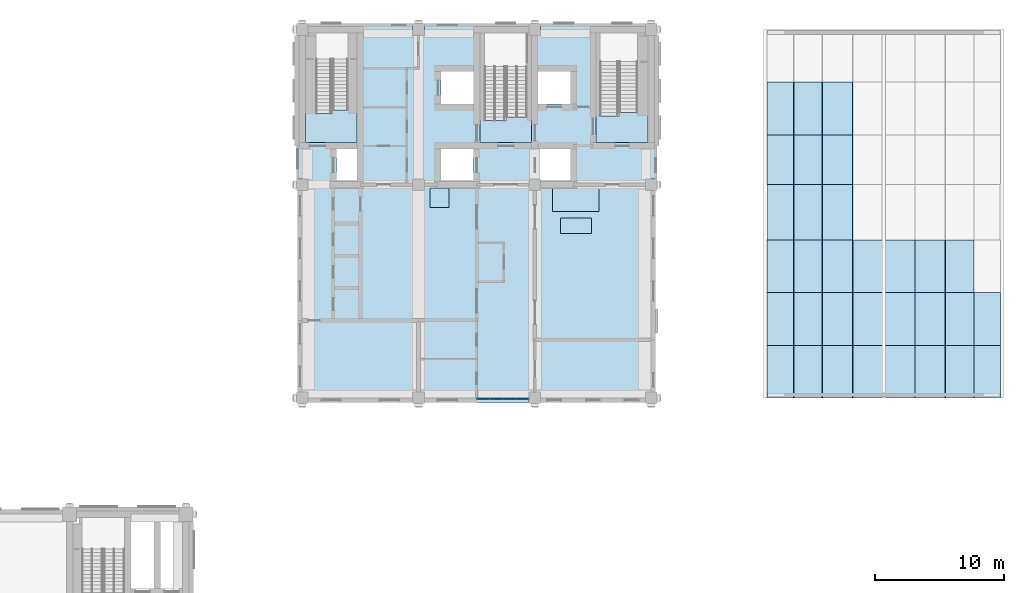
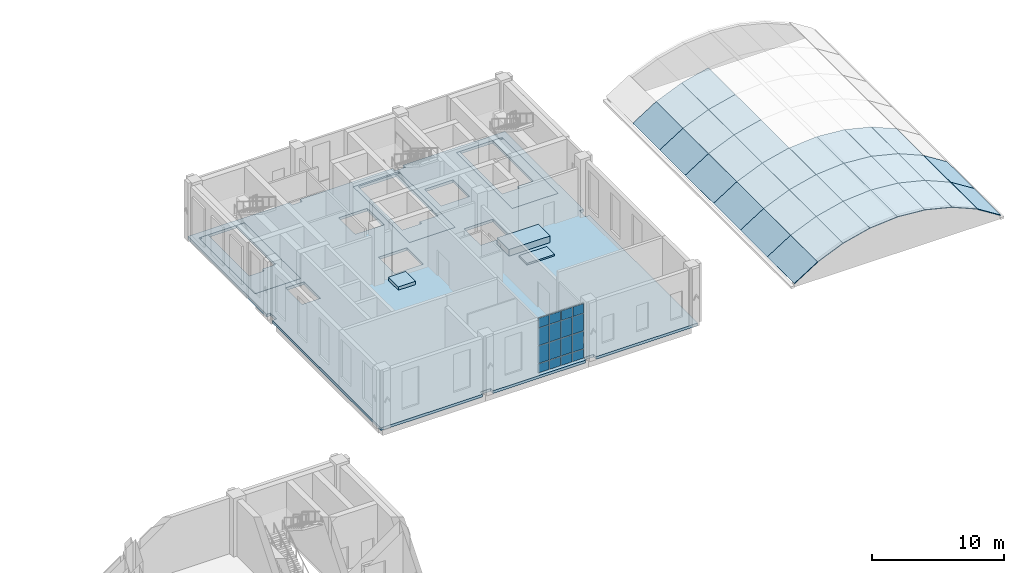
# One storey, part 11 of 25: 39 slabs, 16 plates, 4 elements without a shape of their own.
"""IFC4 building model written with IfcOpenShell, lengths in metres."""

from ifc_helpers import new_model, si_unit, direction, frame, origin, origin_2d, place, context, subcontext, project, spatial, polyline, rectangle, outline, extrude, material, layer, layer_set, type_object, element, aggregate, save


model = new_model("IFC4")

# Units and contexts
model_context = context("Model", 3, precision=1e-05, world=origin(), true_north=direction((0.0, 1.0)))
body_context = subcontext(model_context, "Body", "Model", "MODEL_VIEW")
ifc_project = project(units=[si_unit("LENGTHUNIT", "METRE"), si_unit("AREAUNIT", "SQUARE_METRE"), si_unit("VOLUMEUNIT", "CUBIC_METRE"), si_unit("PLANEANGLEUNIT", "RADIAN"), si_unit("MASSUNIT", "GRAM", prefix="KILO")], contexts=[model_context])

# Site, building, storey
site_placement = place(None, origin())
site = spatial("IfcSite", under=ifc_project, at=site_placement, CompositionType="ELEMENT")
building_placement = place(site_placement, origin())
building = spatial("IfcBuilding", under=site, at=building_placement, Name="Aurelan Courthouse", CompositionType="ELEMENT")
storey_placement = place(building_placement, frame((0.0, 0.0, 33.60009765625)))
storey = spatial("IfcBuildingStorey", under=building, at=storey_placement, Name="L06", CompositionType="ELEMENT", Elevation=33.60009765625)

# Curtain wall, plates
ifc_material_1 = material(Name="Bronze-finished aluminium and glass", Category="aluminium")
ifc_layer_1 = layer(ifc_material_1, 0.14990234375)
ifc_layer_set_1 = layer_set([ifc_layer_1], Name="Bronze-finished aluminium and glass")
curtain_wall_type = type_object("IfcCurtainWallType", Name="Curtain wall 4050 x 5150", PredefinedType="NOTDEFINED", material=ifc_layer_set_1)
curtain_wall_placement = place(storey_placement, origin())
curtain_wall = element("IfcCurtainWall", 1, at=curtain_wall_placement, inside=storey, type_object=curtain_wall_type, Name="Curtain wall CW-V2-L06-S01", PredefinedType="NOTDEFINED")
ifc_material_2 = material(Name="Bronze-finished aluminium", Category="aluminium")
ifc_layer_2 = layer(ifc_material_2, 0.080078125)
ifc_layer_set_2 = layer_set([ifc_layer_2], Name="Bronze-finished aluminium")
plate_type_1 = type_object("IfcPlateType", Name="Bronze spandrel panel 80", PredefinedType="CURTAIN_PANEL", material=ifc_layer_set_2)
plate_1_placement = place(storey_placement, frame((50.018798828125, 37.425048828125, 4.224853515625), z_axis=(0.0, 0.0, 1.0), x_axis=(1.0, 0.0, 0.0)))
plate_1 = element("IfcPlate", 2, at=plate_1_placement, type_object=plate_type_1, Name="CW-V2-L06-S01 spandrel panel 1.4", PredefinedType="CURTAIN_PANEL", context=body_context, shape_type="SweptSolid", body=[
    extrude(rectangle(XDim=0.9375, YDim=0.080078125, at=origin_2d()), origin(), (0.0, 0.0, 1.0), 0.875),
])
plate_2_placement = place(storey_placement, frame((51.018798828125, 37.425048828125, 4.224853515625), z_axis=(0.0, 0.0, 1.0), x_axis=(1.0, 0.0, 0.0)))
plate_2 = element("IfcPlate", 3, at=plate_2_placement, type_object=plate_type_1, Name="CW-V2-L06-S01 spandrel panel 2.4", PredefinedType="CURTAIN_PANEL", context=body_context, shape_type="SweptSolid", body=[
    extrude(rectangle(XDim=0.96240234375, YDim=0.080078125, at=origin_2d()), origin(), (0.0, 0.0, 1.0), 0.875),
])
plate_3_placement = place(storey_placement, frame((52.03125, 37.425048828125, 4.224853515625), z_axis=(0.0, 0.0, 1.0), x_axis=(1.0, 0.0, 0.0)))
plate_3 = element("IfcPlate", 4, at=plate_3_placement, type_object=plate_type_1, Name="CW-V2-L06-S01 spandrel panel 3.4", PredefinedType="CURTAIN_PANEL", context=body_context, shape_type="SweptSolid", body=[
    extrude(rectangle(XDim=0.96240234375, YDim=0.080078125, at=origin_2d()), origin(), (0.0, 0.0, 1.0), 0.875),
])
plate_4_placement = place(storey_placement, frame((53.03125, 37.425048828125, 4.224853515625), z_axis=(0.0, 0.0, 1.0), x_axis=(1.0, 0.0, 0.0)))
plate_4 = element("IfcPlate", 5, at=plate_4_placement, type_object=plate_type_1, Name="CW-V2-L06-S01 spandrel panel 4.4", PredefinedType="CURTAIN_PANEL", context=body_context, shape_type="SweptSolid", body=[
    extrude(rectangle(XDim=0.9375, YDim=0.080078125, at=origin_2d()), origin(), (0.0, 0.0, 1.0), 0.875),
])

# Slabs
ifc_material_3 = material(Name="Concrete C30", Category="concrete")
ifc_layer_3 = layer(ifc_material_3, 0.14990234375)
ifc_layer_set_3 = layer_set([ifc_layer_3], Name="Concrete C30")
slab_type_1 = type_object("IfcSlabType", Name="Clerk's dais 150", PredefinedType="FLOOR", material=ifc_layer_set_3)
slab_1_placement = place(storey_placement, origin())
element("IfcSlab", 6, at=slab_1_placement, inside=storey, type_object=slab_type_1, Name="Clerk's dais Labour Courtroom 2.06.01", PredefinedType="FLOOR", context=body_context, shape_type="SweptSolid", body=[
    extrude(outline(polyline([(55.97509765625, 50.22509765625), (58.375, 50.22509765625), (58.375, 51.425048828125), (55.97509765625, 51.425048828125), (55.97509765625, 50.22509765625)])), origin(), (0.0, 0.0, 1.0), 0.14990234375),
])
ifc_layer_4 = layer(ifc_material_3, 0.610107421875)
ifc_layer_set_4 = layer_set([ifc_layer_4], Name="Concrete C30")
slab_type_2 = type_object("IfcSlabType", Name="Judge's bench dais 610", PredefinedType="FLOOR", material=ifc_layer_set_4)
slab_2_placement = place(storey_placement, origin())
element("IfcSlab", 7, at=slab_2_placement, inside=storey, type_object=slab_type_2, Name="Judge's bench dais Labour Courtroom 2.06.01", PredefinedType="FLOOR", context=body_context, shape_type="SweptSolid", body=[
    extrude(outline(polyline([(55.375, 51.925048828125), (58.97509765625, 51.925048828125), (58.97509765625, 53.72509765625), (55.375, 53.72509765625), (55.375, 51.925048828125)])), origin(), (0.0, 0.0, 1.0), 0.60986328125),
])
ifc_material_4 = material(Name="Concrete C40", Category="concrete")
ifc_layer_5 = layer(ifc_material_4, 0.25)
ifc_layer_set_5 = layer_set([ifc_layer_5], Name="Concrete C40")
slab_type_3 = type_object("IfcSlabType", Name="PT floor slab 250", PredefinedType="FLOOR", material=ifc_layer_set_5)
slab_3_placement = place(storey_placement, frame((0.0, 0.0, -0.25)))
element("IfcSlab", 8, at=slab_3_placement, inside=storey, type_object=slab_type_3, Name="Floor slab SL-L06-01", PredefinedType="FLOOR", context=body_context, shape_type="SweptSolid", body=[
    extrude(outline(polyline([(35.64990234375, 66.35009765625), (35.64990234375, 65.550048828125), (35.64990234375, 54.449951171875), (36.0, 54.449951171875), (36.0, 53.550048828125), (35.64990234375, 53.550048828125), (35.64990234375, 37.949951171875), (35.64990234375, 37.14990234375), (36.449951171875, 37.14990234375), (44.550048828125, 37.14990234375), (44.550048828125, 37.5), (45.449951171875, 37.5), (45.449951171875, 37.14990234375), (53.550048828125, 37.14990234375), (53.550048828125, 37.5), (54.449951171875, 37.5), (54.449951171875, 37.14990234375), (62.550048828125, 37.14990234375), (63.35009765625, 37.14990234375), (63.35009765625, 37.949951171875), (63.35009765625, 53.550048828125), (63.0, 53.550048828125), (63.0, 54.449951171875), (63.35009765625, 54.449951171875), (63.35009765625, 65.550048828125), (63.35009765625, 66.35009765625), (62.550048828125, 66.35009765625), (54.449951171875, 66.35009765625), (54.449951171875, 66.0), (53.550048828125, 66.0), (53.550048828125, 66.35009765625), (45.449951171875, 66.35009765625), (45.449951171875, 66.0), (44.550048828125, 66.0), (44.550048828125, 66.35009765625), (36.449951171875, 66.35009765625), (35.64990234375, 66.35009765625)]), holes=[polyline([(58.75, 65.75), (62.75, 65.75), (62.75, 57.25), (58.75, 57.25), (58.75, 65.75)]), polyline([(56.75, 56.75), (56.75, 54.25), (54.25, 54.25), (54.25, 56.75), (56.75, 56.75)]), polyline([(56.75, 60.25), (54.25, 60.25), (54.25, 62.75), (56.75, 62.75), (56.75, 60.25)]), polyline([(49.75, 57.25), (49.75, 65.75), (53.75, 65.75), (53.75, 57.25), (49.75, 57.25)]), polyline([(46.75, 56.75), (49.25, 56.75), (49.25, 54.25), (46.75, 54.25), (46.75, 56.75)]), polyline([(46.75, 60.25), (46.75, 62.75), (49.25, 62.75), (49.25, 60.25), (46.75, 60.25)]), polyline([(40.25, 56.75), (40.25, 54.25), (38.64990234375, 54.25), (38.64990234375, 56.75), (40.25, 56.75)]), polyline([(40.25, 57.25), (36.25, 57.25), (36.25, 65.75), (40.25, 65.75), (40.25, 57.25)])]), origin(), (0.0, 0.0, 1.0), 0.25),
])

# Plate
ifc_layer_6 = layer(ifc_material_2, 0.0400390625)
ifc_layer_set_6 = layer_set([ifc_layer_6], Name="Bronze-finished aluminium")
plate_type_2 = type_object("IfcPlateType", Name="Sill panel 40", PredefinedType="CURTAIN_PANEL", material=ifc_layer_set_6)
plate_5_placement = place(storey_placement, frame((50.018798828125, 37.425048828125, 0.0498046875), z_axis=(0.0, 0.0, 1.0), x_axis=(1.0, 0.0, 0.0)))
plate_5 = element("IfcPlate", 9, at=plate_5_placement, type_object=plate_type_2, Name="CW-V2-L06-S01 sill panel 1.1", PredefinedType="CURTAIN_PANEL", context=body_context, shape_type="SweptSolid", body=[
    extrude(rectangle(XDim=0.9375, YDim=0.0400390625, at=origin_2d()), origin(), (0.0, 0.0, 1.0), 0.824951171875),
])

plate_6_placement = place(storey_placement, frame((51.018798828125, 37.425048828125, 0.0498046875), z_axis=(0.0, 0.0, 1.0), x_axis=(1.0, 0.0, 0.0)))
plate_6 = element("IfcPlate", 10, at=plate_6_placement, type_object=plate_type_2, Name="CW-V2-L06-S01 sill panel 2.1", PredefinedType="CURTAIN_PANEL", context=body_context, shape_type="SweptSolid", body=[
    extrude(rectangle(XDim=0.96240234375, YDim=0.0400390625, at=origin_2d()), origin(), (0.0, 0.0, 1.0), 0.824951171875),
])

plate_7_placement = place(storey_placement, frame((52.03125, 37.425048828125, 0.0498046875), z_axis=(0.0, 0.0, 1.0), x_axis=(1.0, 0.0, 0.0)))
plate_7 = element("IfcPlate", 11, at=plate_7_placement, type_object=plate_type_2, Name="CW-V2-L06-S01 sill panel 3.1", PredefinedType="CURTAIN_PANEL", context=body_context, shape_type="SweptSolid", body=[
    extrude(rectangle(XDim=0.96240234375, YDim=0.0400390625, at=origin_2d()), origin(), (0.0, 0.0, 1.0), 0.824951171875),
])

plate_8_placement = place(storey_placement, frame((53.03125, 37.425048828125, 0.0498046875), z_axis=(0.0, 0.0, 1.0), x_axis=(1.0, 0.0, 0.0)))
plate_8 = element("IfcPlate", 12, at=plate_8_placement, type_object=plate_type_2, Name="CW-V2-L06-S01 sill panel 4.1", PredefinedType="CURTAIN_PANEL", context=body_context, shape_type="SweptSolid", body=[
    extrude(rectangle(XDim=0.9375, YDim=0.0400390625, at=origin_2d()), origin(), (0.0, 0.0, 1.0), 0.824951171875),
])

# Stair, slab
stair_type_1 = type_object("IfcStairType", Name="Half-turn stair 1200 wide 31 risers", PredefinedType="HALF_TURN_STAIR", material=ifc_material_3)
stair_1_placement = place(storey_placement, origin())
stair_1 = element("IfcStair", 13, at=stair_1_placement, inside=storey, type_object=stair_type_1, Name="Stair CS-2-L06", PredefinedType="HALF_TURN_STAIR")
ifc_layer_7 = layer(ifc_material_3, 0.25)
ifc_layer_set_7 = layer_set([ifc_layer_7], Name="Concrete C30")
slab_type_4 = type_object("IfcSlabType", Name="Stair floor landing 250 thick", PredefinedType="LANDING", material=ifc_layer_set_7)
slab_4_placement = place(storey_placement, frame((0.0, 0.0, -0.25)))
slab_4 = element("IfcSlab", 14, at=slab_4_placement, type_object=slab_type_4, Name="Stair CS-2-L06 floor landing", PredefinedType="LANDING", context=body_context, shape_type="SweptSolid", body=[
    extrude(outline(polyline([(37.06005859375, 59.510986328125), (38.360107421875, 59.510986328125), (38.360107421875, 59.791015625), (39.56005859375, 59.791015625), (39.56005859375, 65.75), (40.25, 65.75), (40.25, 57.25), (36.25, 57.25), (36.25, 65.550048828125), (36.449951171875, 65.550048828125), (36.449951171875, 65.75), (37.06005859375, 65.75), (37.06005859375, 59.510986328125)])), origin(), (0.0, 0.0, 1.0), 0.25),
])
aggregate(stair_1, [slab_4])

stair_type_2 = type_object("IfcStairType", Name="Half-turn stair 1600 wide 31 risers", PredefinedType="HALF_TURN_STAIR", material=ifc_material_3)
stair_2_placement = place(storey_placement, origin())
stair_2 = element("IfcStair", 15, at=stair_2_placement, inside=storey, type_object=stair_type_2, Name="Stair ST-2A-L06", PredefinedType="HALF_TURN_STAIR")
slab_5_placement = place(storey_placement, frame((0.0, 0.0, -0.25)))
slab_5 = element("IfcSlab", 16, at=slab_5_placement, type_object=slab_type_4, Name="Stair ST-2A-L06 floor landing", PredefinedType="LANDING", context=body_context, shape_type="SweptSolid", body=[
    extrude(outline(polyline([(53.75, 57.25), (49.75, 57.25), (49.75, 65.590087890625), (49.75, 65.60009765625), (49.75, 65.75), (53.550048828125, 65.75), (53.550048828125, 65.550048828125), (53.75, 65.550048828125), (53.75, 57.25)]), holes=[polyline([(51.800048828125, 58.9609375), (51.800048828125, 59.240966796875), (53.39990234375, 59.240966796875), (53.39990234375, 65.590087890625), (50.10009765625, 65.590087890625), (50.10009765625, 58.9609375), (51.800048828125, 58.9609375)])]), origin(), (0.0, 0.0, 1.0), 0.25),
])
aggregate(stair_2, [slab_5])

stair_type_3 = type_object("IfcStairType", Name="Half-turn stair 1400 wide 31 risers", PredefinedType="HALF_TURN_STAIR", material=ifc_material_3)
stair_3_placement = place(storey_placement, origin())
stair_3 = element("IfcStair", 17, at=stair_3_placement, inside=storey, type_object=stair_type_3, Name="Stair ST-2E-L06", PredefinedType="HALF_TURN_STAIR")
slab_6_placement = place(storey_placement, frame((0.0, 0.0, -0.25)))
slab_6 = element("IfcSlab", 18, at=slab_6_placement, type_object=slab_type_4, Name="Stair ST-2E-L06 floor landing", PredefinedType="LANDING", context=body_context, shape_type="SweptSolid", body=[
    extrude(outline(polyline([(59.0400390625, 59.31103515625), (60.5400390625, 59.31103515625), (60.5400390625, 59.591064453125), (61.93994140625, 59.591064453125), (61.93994140625, 65.75), (62.550048828125, 65.75), (62.550048828125, 65.550048828125), (62.75, 65.550048828125), (62.75, 57.25), (58.75, 57.25), (58.75, 65.75), (59.0400390625, 65.75), (59.0400390625, 59.31103515625)])), origin(), (0.0, 0.0, 1.0), 0.25),
])
aggregate(stair_3, [slab_6])

# Slabs
ifc_material_5 = material(Name="Zinc standing-seam cladding")
ifc_layer_8 = layer(ifc_material_5, 0.06005859375)
ifc_layer_set_8 = layer_set([ifc_layer_8], Name="Zinc standing-seam cladding")
slab_type_5 = type_object("IfcSlabType", Name="Vault facet 60", PredefinedType="ROOF", material=ifc_layer_set_8)
slab_7_placement = place(storey_placement, frame((71.968017578125, 37.5, 0.40869140625), z_axis=(-0.533844372986, 0.0, 0.845582749015), x_axis=(0.845582749015, 0.0, 0.533844372986)))
element("IfcSlab", 19, at=slab_7_placement, inside=storey, type_object=slab_type_5, Name="Vault facet VF-001", PredefinedType="ROOF", context=body_context, shape_type="SweptSolid", body=[
    extrude(outline(polyline([(0.0, 0.0), (2.410562515022602, 0.0), (2.410562515022602, 4.0712890625), (0.0, 4.0712890625), (0.0, 0.0)])), origin(), (0.0, 0.0, -1.0), 0.06005859375),
])
slab_8_placement = place(storey_placement, frame((74.014892578125, 37.5, 1.699951171875), z_axis=(-0.391436570582, 0.0, 0.920205091929), x_axis=(0.920205091929, 0.0, 0.391436570582)))
element("IfcSlab", 20, at=slab_8_placement, inside=storey, type_object=slab_type_5, Name="Vault facet VF-002", PredefinedType="ROOF", context=body_context, shape_type="SweptSolid", body=[
    extrude(outline(polyline([(0.0, 0.0), (2.4106166529690207, 0.0), (2.4106166529690207, 4.0712890625), (0.0, 4.0712890625), (0.0, 0.0)])), origin(), (0.0, 0.0, -1.0), 0.06005859375),
])
slab_9_placement = place(storey_placement, frame((76.2421875, 37.5, 2.646484375), z_axis=(-0.239007294678, 0.0, 0.971017771769), x_axis=(0.971017771769, 0.0, 0.239007294678)))
element("IfcSlab", 21, at=slab_9_placement, inside=storey, type_object=slab_type_5, Name="Vault facet VF-003", PredefinedType="ROOF", context=body_context, shape_type="SweptSolid", body=[
    extrude(outline(polyline([(0.0, 0.0), (2.4106874050680265, 0.0), (2.4106874050680265, 4.0712890625), (0.0, 4.0712890625), (0.0, 0.0)])), origin(), (0.0, 0.0, -1.0), 0.06005859375),
])
for number, where, z_axis, x_axis, name in (
    (22, (78.59228515625, 37.5, 3.22412109375), (-0.0804134027, 0.0, 0.996761598712), (0.996761598712, 0.0, 0.0804134027), "Vault facet VF-004"),
    (23, (81.0048828125, 37.5, 3.41796875), (0.0804134027, 0.0, 0.996761598712), (0.996761598712, 0.0, -0.0804134027), "Vault facet VF-005"),
):
    element("IfcSlab", number, at=place(storey_placement, frame(where, z_axis=z_axis, x_axis=x_axis)), inside=storey, type_object=slab_type_5, Name=name, PredefinedType="ROOF", context=body_context, shape_type="SweptSolid", body=[
        extrude(outline(polyline([(0.0, 0.0), (2.4106386465487977, 0.0), (2.4106386465487977, 4.0712890625), (0.0, 4.0712890625), (0.0, 0.0)])), origin(), (0.0, 0.0, -1.0), 0.06005859375),
    ])
slab_10_placement = place(storey_placement, frame((83.4169921875, 37.5, 3.22265625), z_axis=(0.239007294678, 0.0, 0.971017771769), x_axis=(0.971017771769, 0.0, -0.239007294678)))
element("IfcSlab", 24, at=slab_10_placement, inside=storey, type_object=slab_type_5, Name="Vault facet VF-006", PredefinedType="ROOF", context=body_context, shape_type="SweptSolid", body=[
    extrude(outline(polyline([(0.0, 0.0), (2.4106874050680265, 0.0), (2.4106874050680265, 4.0712890625), (0.0, 4.0712890625), (0.0, 0.0)])), origin(), (0.0, 0.0, -1.0), 0.06005859375),
])
slab_11_placement = place(storey_placement, frame((85.766845703125, 37.5, 2.6435546875), z_axis=(0.391436570582, 0.0, 0.920205091929), x_axis=(0.920205091929, 0.0, -0.391436570582)))
element("IfcSlab", 25, at=slab_11_placement, inside=storey, type_object=slab_type_5, Name="Vault facet VF-007", PredefinedType="ROOF", context=body_context, shape_type="SweptSolid", body=[
    extrude(outline(polyline([(0.0, 0.0), (2.4106166529690207, 0.0), (2.4106166529690207, 4.0712890625), (0.0, 4.0712890625), (0.0, 0.0)])), origin(), (0.0, 0.0, -1.0), 0.06005859375),
])
slab_12_placement = place(storey_placement, frame((87.99365234375, 37.5, 1.695556640625), z_axis=(0.533844372986, 0.0, 0.845582749015), x_axis=(0.845582749015, 0.0, -0.533844372986)))
element("IfcSlab", 26, at=slab_12_placement, inside=storey, type_object=slab_type_5, Name="Vault facet VF-008", PredefinedType="ROOF", context=body_context, shape_type="SweptSolid", body=[
    extrude(outline(polyline([(0.0, 0.0), (2.410562515022602, 0.0), (2.410562515022602, 4.0712890625), (0.0, 4.0712890625), (0.0, 0.0)])), origin(), (0.0, 0.0, -1.0), 0.06005859375),
])
slab_13_placement = place(storey_placement, frame((71.968017578125, 41.5712890625, 0.40869140625), z_axis=(-0.533844372986, 0.0, 0.845582749015), x_axis=(0.845582749015, 0.0, 0.533844372986)))
element("IfcSlab", 27, at=slab_13_placement, inside=storey, type_object=slab_type_5, Name="Vault facet VF-009", PredefinedType="ROOF", context=body_context, shape_type="SweptSolid", body=[
    extrude(outline(polyline([(0.0, 0.0), (2.410562515022602, 0.0), (2.410562515022602, 4.071533203125), (0.0, 4.071533203125), (0.0, 0.0)])), origin(), (0.0, 0.0, -1.0), 0.06005859375),
])
slab_14_placement = place(storey_placement, frame((74.014892578125, 41.5712890625, 1.699951171875), z_axis=(-0.391436570582, 0.0, 0.920205091929), x_axis=(0.920205091929, 0.0, 0.391436570582)))
element("IfcSlab", 28, at=slab_14_placement, inside=storey, type_object=slab_type_5, Name="Vault facet VF-010", PredefinedType="ROOF", context=body_context, shape_type="SweptSolid", body=[
    extrude(outline(polyline([(0.0, 0.0), (2.4106166529690207, 0.0), (2.4106166529690207, 4.071533203125), (0.0, 4.071533203125), (0.0, 0.0)])), origin(), (0.0, 0.0, -1.0), 0.06005859375),
])
slab_15_placement = place(storey_placement, frame((76.2421875, 41.5712890625, 2.646484375), z_axis=(-0.239007294678, 0.0, 0.971017771769), x_axis=(0.971017771769, 0.0, 0.239007294678)))
element("IfcSlab", 29, at=slab_15_placement, inside=storey, type_object=slab_type_5, Name="Vault facet VF-011", PredefinedType="ROOF", context=body_context, shape_type="SweptSolid", body=[
    extrude(outline(polyline([(0.0, 0.0), (2.4106874050680265, 0.0), (2.4106874050680265, 4.071533203124999), (0.0, 4.071533203124999), (0.0, 0.0)])), origin(), (0.0, 0.0, -1.0), 0.06005859375),
])
for number, where, z_axis, x_axis, name in (
    (30, (78.59228515625, 41.5712890625, 3.22412109375), (-0.0804134027, 0.0, 0.996761598712), (0.996761598712, 0.0, 0.0804134027), "Vault facet VF-012"),
    (31, (81.0048828125, 41.5712890625, 3.41796875), (0.0804134027, 0.0, 0.996761598712), (0.996761598712, 0.0, -0.0804134027), "Vault facet VF-013"),
):
    element("IfcSlab", number, at=place(storey_placement, frame(where, z_axis=z_axis, x_axis=x_axis)), inside=storey, type_object=slab_type_5, Name=name, PredefinedType="ROOF", context=body_context, shape_type="SweptSolid", body=[
        extrude(outline(polyline([(0.0, 0.0), (2.4106386465487977, 0.0), (2.4106386465487977, 4.071533203125), (0.0, 4.071533203125), (0.0, 0.0)])), origin(), (0.0, 0.0, -1.0), 0.06005859375),
    ])
slab_16_placement = place(storey_placement, frame((83.4169921875, 41.5712890625, 3.22265625), z_axis=(0.239007294678, 0.0, 0.971017771769), x_axis=(0.971017771769, 0.0, -0.239007294678)))
element("IfcSlab", 32, at=slab_16_placement, inside=storey, type_object=slab_type_5, Name="Vault facet VF-014", PredefinedType="ROOF", context=body_context, shape_type="SweptSolid", body=[
    extrude(outline(polyline([(0.0, 0.0), (2.4106874050680265, 0.0), (2.4106874050680265, 4.071533203124999), (0.0, 4.071533203124999), (0.0, 0.0)])), origin(), (0.0, 0.0, -1.0), 0.06005859375),
])
slab_17_placement = place(storey_placement, frame((85.766845703125, 41.5712890625, 2.6435546875), z_axis=(0.391436570582, 0.0, 0.920205091929), x_axis=(0.920205091929, 0.0, -0.391436570582)))
element("IfcSlab", 33, at=slab_17_placement, inside=storey, type_object=slab_type_5, Name="Vault facet VF-015", PredefinedType="ROOF", context=body_context, shape_type="SweptSolid", body=[
    extrude(outline(polyline([(0.0, 0.0), (2.4106166529690207, 0.0), (2.4106166529690207, 4.071533203125), (0.0, 4.071533203125), (0.0, 0.0)])), origin(), (0.0, 0.0, -1.0), 0.06005859375),
])
for number, where, z_axis, x_axis, name in (
    (34, (87.99365234375, 41.5712890625, 1.695556640625), (0.533844372986, 0.0, 0.845582749015), (0.845582749015, 0.0, -0.533844372986), "Vault facet VF-016"),
    (35, (71.968017578125, 45.642822265625, 0.40869140625), (-0.533844372986, 0.0, 0.845582749015), (0.845582749015, 0.0, 0.533844372986), "Vault facet VF-017"),
):
    element("IfcSlab", number, at=place(storey_placement, frame(where, z_axis=z_axis, x_axis=x_axis)), inside=storey, type_object=slab_type_5, Name=name, PredefinedType="ROOF", context=body_context, shape_type="SweptSolid", body=[
        extrude(outline(polyline([(0.0, 0.0), (2.410562515022602, 0.0), (2.410562515022602, 4.071533203125), (0.0, 4.071533203125), (0.0, 0.0)])), origin(), (0.0, 0.0, -1.0), 0.06005859375),
    ])
slab_18_placement = place(storey_placement, frame((74.014892578125, 45.642822265625, 1.699951171875), z_axis=(-0.391436570582, 0.0, 0.920205091929), x_axis=(0.920205091929, 0.0, 0.391436570582)))
element("IfcSlab", 36, at=slab_18_placement, inside=storey, type_object=slab_type_5, Name="Vault facet VF-018", PredefinedType="ROOF", context=body_context, shape_type="SweptSolid", body=[
    extrude(outline(polyline([(0.0, 0.0), (2.4106166529690207, 0.0), (2.4106166529690207, 4.071533203125), (0.0, 4.071533203125), (0.0, 0.0)])), origin(), (0.0, 0.0, -1.0), 0.06005859375),
])
slab_19_placement = place(storey_placement, frame((76.2421875, 45.642822265625, 2.646484375), z_axis=(-0.239007294678, 0.0, 0.971017771769), x_axis=(0.971017771769, 0.0, 0.239007294678)))
element("IfcSlab", 37, at=slab_19_placement, inside=storey, type_object=slab_type_5, Name="Vault facet VF-019", PredefinedType="ROOF", context=body_context, shape_type="SweptSolid", body=[
    extrude(outline(polyline([(0.0, 0.0), (2.4106874050680265, 0.0), (2.4106874050680265, 4.071533203124999), (0.0, 4.071533203124999), (0.0, 0.0)])), origin(), (0.0, 0.0, -1.0), 0.06005859375),
])
for number, where, z_axis, x_axis, name in (
    (38, (78.59228515625, 45.642822265625, 3.22412109375), (-0.0804134027, 0.0, 0.996761598712), (0.996761598712, 0.0, 0.0804134027), "Vault facet VF-020"),
    (39, (81.0048828125, 45.642822265625, 3.41796875), (0.0804134027, 0.0, 0.996761598712), (0.996761598712, 0.0, -0.0804134027), "Vault facet VF-021"),
):
    element("IfcSlab", number, at=place(storey_placement, frame(where, z_axis=z_axis, x_axis=x_axis)), inside=storey, type_object=slab_type_5, Name=name, PredefinedType="ROOF", context=body_context, shape_type="SweptSolid", body=[
        extrude(outline(polyline([(0.0, 0.0), (2.4106386465487977, 0.0), (2.4106386465487977, 4.071533203125), (0.0, 4.071533203125), (0.0, 0.0)])), origin(), (0.0, 0.0, -1.0), 0.06005859375),
    ])
slab_20_placement = place(storey_placement, frame((83.4169921875, 45.642822265625, 3.22265625), z_axis=(0.239007294678, 0.0, 0.971017771769), x_axis=(0.971017771769, 0.0, -0.239007294678)))
element("IfcSlab", 40, at=slab_20_placement, inside=storey, type_object=slab_type_5, Name="Vault facet VF-022", PredefinedType="ROOF", context=body_context, shape_type="SweptSolid", body=[
    extrude(outline(polyline([(0.0, 0.0), (2.4106874050680265, 0.0), (2.4106874050680265, 4.071533203124999), (0.0, 4.071533203124999), (0.0, 0.0)])), origin(), (0.0, 0.0, -1.0), 0.06005859375),
])
slab_21_placement = place(storey_placement, frame((85.766845703125, 45.642822265625, 2.6435546875), z_axis=(0.391436570582, 0.0, 0.920205091929), x_axis=(0.920205091929, 0.0, -0.391436570582)))
element("IfcSlab", 41, at=slab_21_placement, inside=storey, type_object=slab_type_5, Name="Vault facet VF-023", PredefinedType="ROOF", context=body_context, shape_type="SweptSolid", body=[
    extrude(outline(polyline([(0.0, 0.0), (2.4106166529690207, 0.0), (2.4106166529690207, 4.071533203125), (0.0, 4.071533203125), (0.0, 0.0)])), origin(), (0.0, 0.0, -1.0), 0.06005859375),
])
slab_22_placement = place(storey_placement, frame((71.968017578125, 49.71435546875, 0.40869140625), z_axis=(-0.533844372986, 0.0, 0.845582749015), x_axis=(0.845582749015, 0.0, 0.533844372986)))
element("IfcSlab", 42, at=slab_22_placement, inside=storey, type_object=slab_type_5, Name="Vault facet VF-025", PredefinedType="ROOF", context=body_context, shape_type="SweptSolid", body=[
    extrude(outline(polyline([(0.0, 0.0), (2.410562515022602, 0.0), (2.410562515022602, 4.28564453125), (0.0, 4.28564453125), (0.0, 0.0)])), origin(), (0.0, 0.0, -1.0), 0.06005859375),
])
slab_23_placement = place(storey_placement, frame((74.014892578125, 49.71435546875, 1.699951171875), z_axis=(-0.391436570582, 0.0, 0.920205091929), x_axis=(0.920205091929, 0.0, 0.391436570582)))
element("IfcSlab", 43, at=slab_23_placement, inside=storey, type_object=slab_type_5, Name="Vault facet VF-026", PredefinedType="ROOF", context=body_context, shape_type="SweptSolid", body=[
    extrude(outline(polyline([(0.0, 0.0), (2.410616652969021, 0.0), (2.410616652969021, 4.28564453125), (0.0, 4.28564453125), (0.0, 0.0)])), origin(), (0.0, 0.0, -1.0), 0.06005859375),
])
slab_24_placement = place(storey_placement, frame((76.2421875, 49.71435546875, 2.646484375), z_axis=(-0.239007294678, 0.0, 0.971017771769), x_axis=(0.971017771769, 0.0, 0.239007294678)))
element("IfcSlab", 44, at=slab_24_placement, inside=storey, type_object=slab_type_5, Name="Vault facet VF-027", PredefinedType="ROOF", context=body_context, shape_type="SweptSolid", body=[
    extrude(outline(polyline([(0.0, 0.0), (2.4106874050680265, 0.0), (2.4106874050680265, 4.285644531249999), (0.0, 4.285644531249999), (0.0, 0.0)])), origin(), (0.0, 0.0, -1.0), 0.06005859375),
])
slab_25_placement = place(storey_placement, frame((71.968017578125, 54.0, 0.40869140625), z_axis=(-0.533844372986, 0.0, 0.845582749015), x_axis=(0.845582749015, 0.0, 0.533844372986)))
element("IfcSlab", 45, at=slab_25_placement, inside=storey, type_object=slab_type_5, Name="Vault facet VF-033", PredefinedType="ROOF", context=body_context, shape_type="SweptSolid", body=[
    extrude(outline(polyline([(0.0, 0.0), (2.410562515022602, 0.0), (2.410562515022602, 3.857177734375), (0.0, 3.857177734375), (0.0, 0.0)])), origin(), (0.0, 0.0, -1.0), 0.06005859375),
])
slab_26_placement = place(storey_placement, frame((74.014892578125, 54.0, 1.699951171875), z_axis=(-0.391436570582, 0.0, 0.920205091929), x_axis=(0.920205091929, 0.0, 0.391436570582)))
element("IfcSlab", 46, at=slab_26_placement, inside=storey, type_object=slab_type_5, Name="Vault facet VF-034", PredefinedType="ROOF", context=body_context, shape_type="SweptSolid", body=[
    extrude(outline(polyline([(0.0, 0.0), (2.410616652969021, 0.0), (2.410616652969021, 3.857177734375), (0.0, 3.857177734375), (0.0, 0.0)])), origin(), (0.0, 0.0, -1.0), 0.06005859375),
])
slab_27_placement = place(storey_placement, frame((76.2421875, 54.0, 2.646484375), z_axis=(-0.239007294678, 0.0, 0.971017771769), x_axis=(0.971017771769, 0.0, 0.239007294678)))
element("IfcSlab", 47, at=slab_27_placement, inside=storey, type_object=slab_type_5, Name="Vault facet VF-035", PredefinedType="ROOF", context=body_context, shape_type="SweptSolid", body=[
    extrude(outline(polyline([(0.0, 0.0), (2.4106874050680265, 0.0), (2.4106874050680265, 3.857177734375), (0.0, 3.857177734375), (0.0, 0.0)])), origin(), (0.0, 0.0, -1.0), 0.06005859375),
])
slab_28_placement = place(storey_placement, frame((71.968017578125, 57.857177734375, 0.40869140625), z_axis=(-0.533844372986, 0.0, 0.845582749015), x_axis=(0.845582749015, 0.0, 0.533844372986)))
element("IfcSlab", 48, at=slab_28_placement, inside=storey, type_object=slab_type_5, Name="Vault facet VF-041", PredefinedType="ROOF", context=body_context, shape_type="SweptSolid", body=[
    extrude(outline(polyline([(0.0, 0.0), (2.410562515022602, 0.0), (2.410562515022602, 4.071533203125), (0.0, 4.071533203125), (0.0, 0.0)])), origin(), (0.0, 0.0, -1.0), 0.06005859375),
])
slab_29_placement = place(storey_placement, frame((74.014892578125, 57.857177734375, 1.699951171875), z_axis=(-0.391436570582, 0.0, 0.920205091929), x_axis=(0.920205091929, 0.0, 0.391436570582)))
element("IfcSlab", 49, at=slab_29_placement, inside=storey, type_object=slab_type_5, Name="Vault facet VF-042", PredefinedType="ROOF", context=body_context, shape_type="SweptSolid", body=[
    extrude(outline(polyline([(0.0, 0.0), (2.4106166529690207, 0.0), (2.4106166529690207, 4.071533203125), (0.0, 4.071533203125), (0.0, 0.0)])), origin(), (0.0, 0.0, -1.0), 0.06005859375),
])
slab_30_placement = place(storey_placement, frame((76.2421875, 57.857177734375, 2.646484375), z_axis=(-0.239007294678, 0.0, 0.971017771769), x_axis=(0.971017771769, 0.0, 0.239007294678)))
element("IfcSlab", 50, at=slab_30_placement, inside=storey, type_object=slab_type_5, Name="Vault facet VF-043", PredefinedType="ROOF", context=body_context, shape_type="SweptSolid", body=[
    extrude(outline(polyline([(0.0, 0.0), (2.4106874050680265, 0.0), (2.4106874050680265, 4.071533203124999), (0.0, 4.071533203124999), (0.0, 0.0)])), origin(), (0.0, 0.0, -1.0), 0.06005859375),
])

# Plate
ifc_material_6 = material(Name="Laminated low-emissivity glass", Category="glass")
ifc_layer_9 = layer(ifc_material_6, 0.02392578125)
ifc_layer_set_9 = layer_set([ifc_layer_9], Name="Laminated low-emissivity glass")
plate_type_3 = type_object("IfcPlateType", Name="Vision glass panel 24", PredefinedType="CURTAIN_PANEL", material=ifc_layer_set_9)
plate_9_placement = place(storey_placement, frame((50.018798828125, 37.425048828125, 0.9248046875), z_axis=(0.0, 0.0, 1.0), x_axis=(1.0, 0.0, 0.0)))
plate_9 = element("IfcPlate", 51, at=plate_9_placement, type_object=plate_type_3, Name="CW-V2-L06-S01 vision panel 1.2", PredefinedType="CURTAIN_PANEL", context=body_context, shape_type="SweptSolid", body=[
    extrude(rectangle(XDim=0.9375, YDim=0.02392578125, at=origin_2d()), origin(), (0.0, 0.0, 1.0), 1.60009765625),
])

plate_10_placement = place(storey_placement, frame((50.018798828125, 37.425048828125, 2.574951171875), z_axis=(0.0, 0.0, 1.0), x_axis=(1.0, 0.0, 0.0)))
plate_10 = element("IfcPlate", 52, at=plate_10_placement, type_object=plate_type_3, Name="CW-V2-L06-S01 vision panel 1.3", PredefinedType="CURTAIN_PANEL", context=body_context, shape_type="SweptSolid", body=[
    extrude(rectangle(XDim=0.9375, YDim=0.02392578125, at=origin_2d()), origin(), (0.0, 0.0, 1.0), 1.60009765625),
])

plate_11_placement = place(storey_placement, frame((51.018798828125, 37.425048828125, 0.9248046875), z_axis=(0.0, 0.0, 1.0), x_axis=(1.0, 0.0, 0.0)))
plate_11 = element("IfcPlate", 53, at=plate_11_placement, type_object=plate_type_3, Name="CW-V2-L06-S01 vision panel 2.2", PredefinedType="CURTAIN_PANEL", context=body_context, shape_type="SweptSolid", body=[
    extrude(rectangle(XDim=0.96240234375, YDim=0.02392578125, at=origin_2d()), origin(), (0.0, 0.0, 1.0), 1.60009765625),
])

plate_12_placement = place(storey_placement, frame((51.018798828125, 37.425048828125, 2.574951171875), z_axis=(0.0, 0.0, 1.0), x_axis=(1.0, 0.0, 0.0)))
plate_12 = element("IfcPlate", 54, at=plate_12_placement, type_object=plate_type_3, Name="CW-V2-L06-S01 vision panel 2.3", PredefinedType="CURTAIN_PANEL", context=body_context, shape_type="SweptSolid", body=[
    extrude(rectangle(XDim=0.96240234375, YDim=0.02392578125, at=origin_2d()), origin(), (0.0, 0.0, 1.0), 1.60009765625),
])

plate_13_placement = place(storey_placement, frame((52.03125, 37.425048828125, 0.9248046875), z_axis=(0.0, 0.0, 1.0), x_axis=(1.0, 0.0, 0.0)))
plate_13 = element("IfcPlate", 55, at=plate_13_placement, type_object=plate_type_3, Name="CW-V2-L06-S01 vision panel 3.2", PredefinedType="CURTAIN_PANEL", context=body_context, shape_type="SweptSolid", body=[
    extrude(rectangle(XDim=0.96240234375, YDim=0.02392578125, at=origin_2d()), origin(), (0.0, 0.0, 1.0), 1.60009765625),
])

plate_14_placement = place(storey_placement, frame((52.03125, 37.425048828125, 2.574951171875), z_axis=(0.0, 0.0, 1.0), x_axis=(1.0, 0.0, 0.0)))
plate_14 = element("IfcPlate", 56, at=plate_14_placement, type_object=plate_type_3, Name="CW-V2-L06-S01 vision panel 3.3", PredefinedType="CURTAIN_PANEL", context=body_context, shape_type="SweptSolid", body=[
    extrude(rectangle(XDim=0.96240234375, YDim=0.02392578125, at=origin_2d()), origin(), (0.0, 0.0, 1.0), 1.60009765625),
])

plate_15_placement = place(storey_placement, frame((53.03125, 37.425048828125, 0.9248046875), z_axis=(0.0, 0.0, 1.0), x_axis=(1.0, 0.0, 0.0)))
plate_15 = element("IfcPlate", 57, at=plate_15_placement, type_object=plate_type_3, Name="CW-V2-L06-S01 vision panel 4.2", PredefinedType="CURTAIN_PANEL", context=body_context, shape_type="SweptSolid", body=[
    extrude(rectangle(XDim=0.9375, YDim=0.02392578125, at=origin_2d()), origin(), (0.0, 0.0, 1.0), 1.60009765625),
])

plate_16_placement = place(storey_placement, frame((53.03125, 37.425048828125, 2.574951171875), z_axis=(0.0, 0.0, 1.0), x_axis=(1.0, 0.0, 0.0)))
plate_16 = element("IfcPlate", 58, at=plate_16_placement, type_object=plate_type_3, Name="CW-V2-L06-S01 vision panel 4.3", PredefinedType="CURTAIN_PANEL", context=body_context, shape_type="SweptSolid", body=[
    extrude(rectangle(XDim=0.9375, YDim=0.02392578125, at=origin_2d()), origin(), (0.0, 0.0, 1.0), 1.60009765625),
])

aggregate(curtain_wall, [plate_5, plate_9, plate_10, plate_1, plate_6, plate_11, plate_12, plate_2, plate_7, plate_13, plate_14, plate_3, plate_8, plate_15, plate_16, plate_4])

# Slab
ifc_layer_10 = layer(ifc_material_3, 0.300048828125)
ifc_layer_set_10 = layer_set([ifc_layer_10], Name="Concrete C30")
slab_type_6 = type_object("IfcSlabType", Name="Witness dais 300", PredefinedType="FLOOR", material=ifc_layer_set_10)
slab_31_placement = place(storey_placement, origin())
element("IfcSlab", 59, at=slab_31_placement, inside=storey, type_object=slab_type_6, Name="Witness dais Criminal Courtroom 2.06.01", PredefinedType="FLOOR", context=body_context, shape_type="SweptSolid", body=[
    extrude(outline(polyline([(45.875, 52.22509765625), (47.375, 52.22509765625), (47.375, 53.72509765625), (45.875, 53.72509765625), (45.875, 52.22509765625)])), origin(), (0.0, 0.0, 1.0), 0.2998046875),
])

save(model, "model.ifc")
